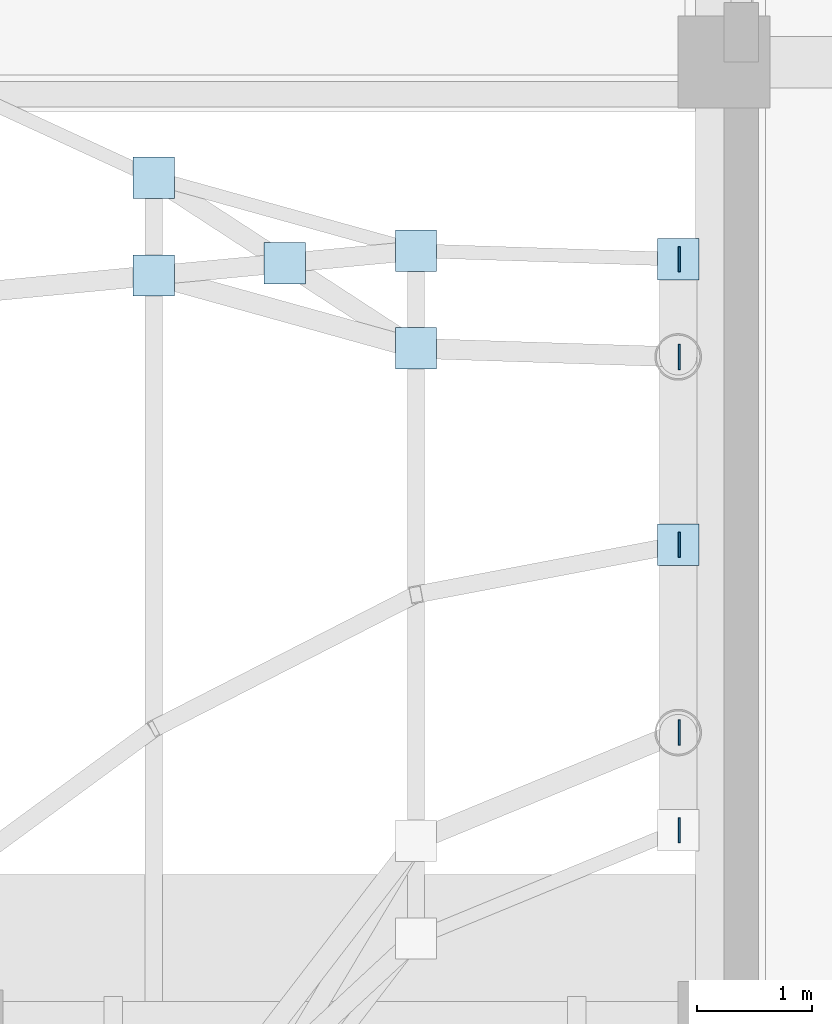
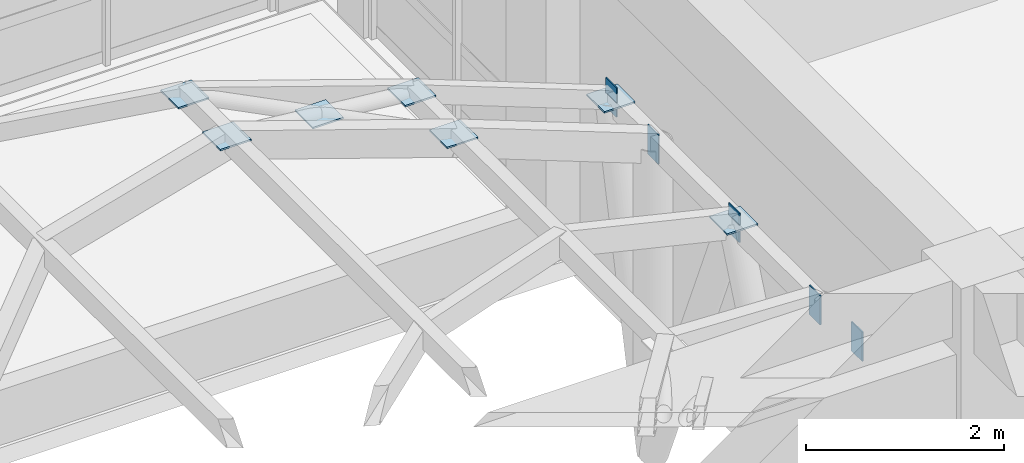
# One storey, part 49 of 79: 12 plates.
"""IFC4 building model written with IfcOpenShell, lengths in metres."""

from ifc_helpers import new_model, si_unit, direction, frame, origin, origin_2d, place, context, subcontext, project, spatial, rectangle, extrude, material, layer, layer_set, type_object, element, save


model = new_model("IFC4")

# Units and contexts
model_context = context("Model", 3, precision=1e-05, world=origin(), true_north=direction((0.0, 1.0)))
body_context = subcontext(model_context, "Body", "Model", "MODEL_VIEW")
ifc_project = project(units=[si_unit("LENGTHUNIT", "METRE"), si_unit("AREAUNIT", "SQUARE_METRE"), si_unit("VOLUMEUNIT", "CUBIC_METRE"), si_unit("PLANEANGLEUNIT", "RADIAN"), si_unit("MASSUNIT", "GRAM", prefix="KILO")], contexts=[model_context])

# Site, building, storey
site_placement = place(None, origin())
site = spatial("IfcSite", under=ifc_project, at=site_placement, CompositionType="ELEMENT")
building_placement = place(site_placement, origin())
building = spatial("IfcBuilding", under=site, at=building_placement, Name="Kolvaren Faculty of Natural Sciences", CompositionType="ELEMENT")
storey_placement = place(building_placement, frame((0.0, 0.0, 10.199951171875)))
storey = spatial("IfcBuildingStorey", under=building, at=storey_placement, Name="L02", CompositionType="ELEMENT", Elevation=10.199951171875)

# Plates
ifc_material_1 = material(Name="Structural steel EN 10025-2 S355J2 (white architectural finish)", Category="steel")
ifc_layer_1 = layer(ifc_material_1, 0.02001953125)
ifc_layer_set_1 = layer_set([ifc_layer_1], Name="Structural steel EN 10025-2 S355J2 (white architectural finish)")
plate_type_1 = type_object("IfcPlateType", Name="BranchTipCollarPlate_TN3", PredefinedType="USERDEFINED", material=ifc_layer_set_1)
for number, where, z_axis, x_axis, name in (
    (1, (138.39990234375, 63.199951171875, 2.84619140625), (0.0, 0.0, 1.0), (1.0, 0.0, 0.0), "Canopy portal E-S-RIDGE tip node TN3"),
    (2, (138.39990234375, 65.684814453125, 2.84619140625), (0.0, 0.0, 1.0), (1.0, 0.0, 0.0), "Canopy portal E-N-EAVE tip node TN3"),
    (3, (134.977294921875, 65.651123046875, 3.87109375), (0.0, 0.0, 1.0), (1.0, 0.0, 0.0), "Canopy X-brace crossing gusset plate N1-43-0"),
    (4, (133.83642578125, 66.393310546875, 4.064697265625), (0.0, 0.0, 1.0), (1.0, 0.0, 0.0), "Canopy X-brace end gusset plate N1-43-1"),
    (5, (136.1181640625, 64.908935546875, 3.677490234375), (0.0, 0.0, 1.0), (1.0, 0.0, 0.0), "Canopy X-brace end gusset plate N1-43-2"),
    (6, (133.83642578125, 65.54345703125, 4.064697265625), (0.0, 0.0, 1.0), (1.0, 0.0, 0.0), "Canopy X-brace end gusset plate N1-43-3"),
    (7, (136.1181640625, 65.7587890625, 3.677490234375), (0.0, 0.0, 1.0), (1.0, 0.0, 0.0), "Canopy X-brace end gusset plate N1-43-4"),
):
    element("IfcPlate", number, at=place(storey_placement, frame(where, z_axis=z_axis, x_axis=x_axis)), inside=storey, type_object=plate_type_1, Name=name, ObjectType="GUSSET PLATE", PredefinedType="USERDEFINED", context=body_context, shape_type="SweptSolid", body=[
        extrude(rectangle(XDim=0.360107421875, YDim=0.360107421875, at=origin_2d()), origin(), (0.0, 0.0, 1.0), 0.02001953125),
    ])
ifc_material_2 = material(Name="Structural steel EN 10210-1 S355J2H (white architectural finish)", Category="steel")
ifc_layer_2 = layer(ifc_material_2, 0.01611328125)
ifc_layer_set_2 = layer_set([ifc_layer_2], Name="Structural steel EN 10210-1 S355J2H (white architectural finish)")
plate_type_2 = type_object("IfcPlateType", Name="CanopyBeamEndCap_EC1", PredefinedType="USERDEFINED", material=ifc_layer_set_2)
for number, where, z_axis, x_axis, name in (
    (8, (138.407958984375, 60.71533203125, 2.69140625), (0.0, 0.0, 1.0), (1.0, 0.0, 0.0), "Covered street canopy east end cap plate S-WAVE"),
    (9, (138.407958984375, 61.565185546875, 2.6259765625), (0.0, 0.0, 1.0), (1.0, 0.0, 0.0), "Covered street canopy east end cap plate S-SPINE"),
    (10, (138.407958984375, 63.199951171875, 2.6513671875), (0.0, 0.0, 1.0), (1.0, 0.0, 0.0), "Covered street canopy east end cap plate RIDGE"),
    (11, (138.407958984375, 64.834716796875, 2.6259765625), (0.0, 0.0, 1.0), (1.0, 0.0, 0.0), "Covered street canopy east end cap plate N-SPINE"),
    (12, (138.407958984375, 65.684814453125, 2.69140625), (0.0, 0.0, 1.0), (1.0, 0.0, 0.0), "Covered street canopy east end cap plate N-WAVE"),
):
    element("IfcPlate", number, at=place(storey_placement, frame(where, z_axis=z_axis, x_axis=x_axis)), inside=storey, type_object=plate_type_2, Name=name, ObjectType="GUSSET PLATE", PredefinedType="USERDEFINED", context=body_context, shape_type="SweptSolid", body=[
        extrude(rectangle(XDim=0.01611328125, YDim=0.219970703125, at=origin_2d()), origin(), (0.0, 0.0, 1.0), 0.360107421875),
    ])

save(model, "model.ifc")
